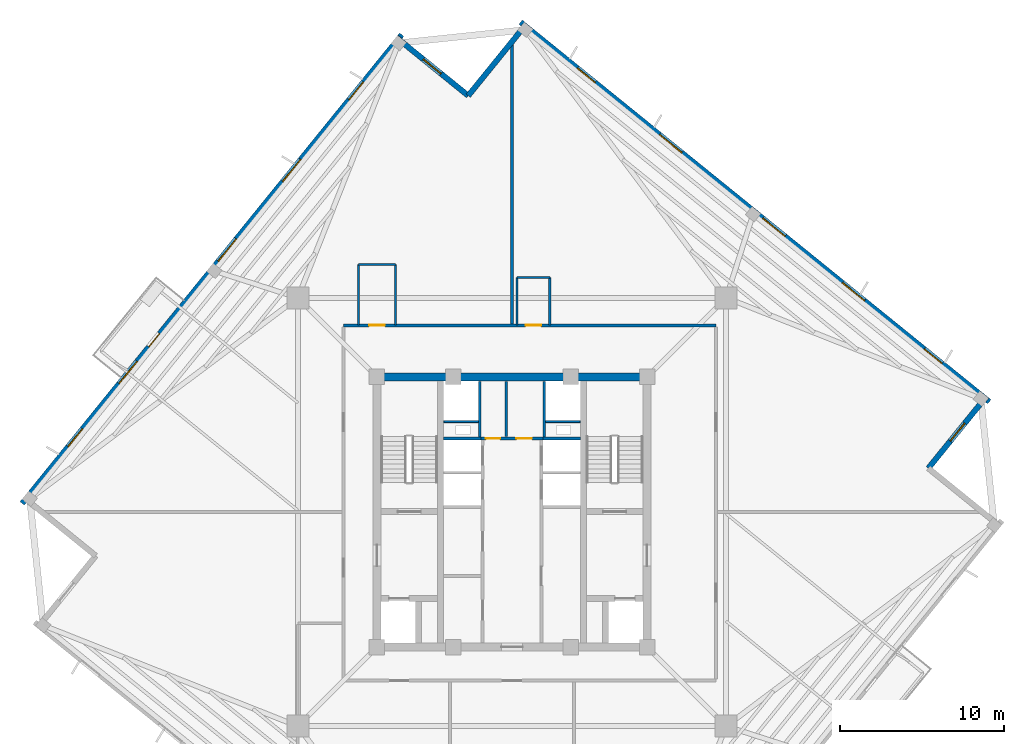
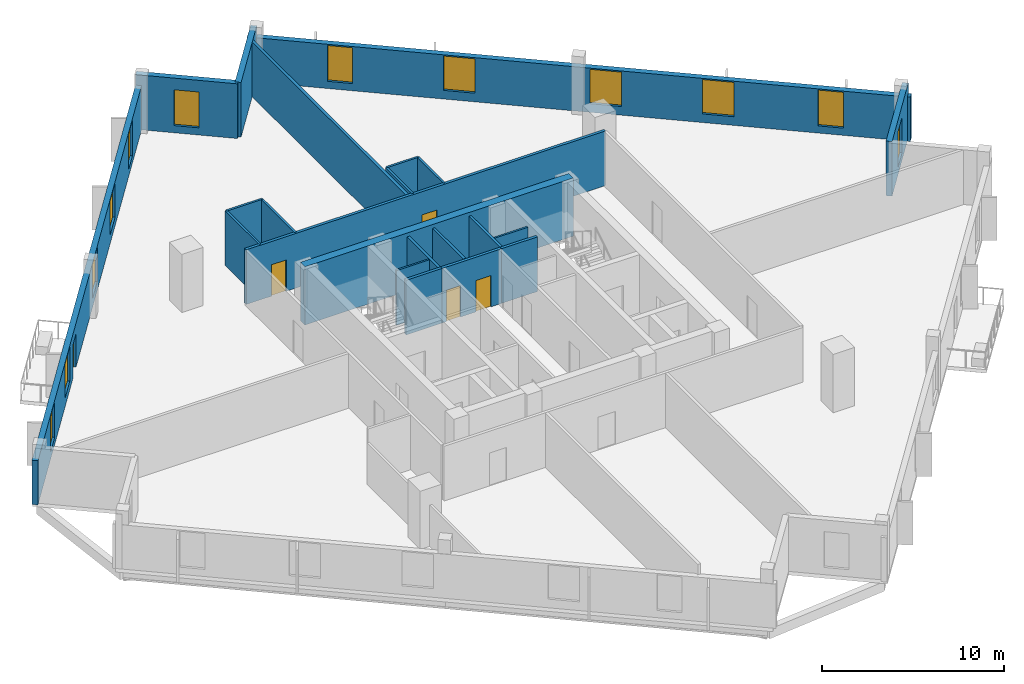
# One storey, part 4 of 9: 22 walls, 12 windows, 5 doors, 17 openings.
"""IFC4 building model written with IfcOpenShell, lengths in metres."""

from ifc_helpers import new_model, si_unit, direction, frame, frame_2d, origin, place, context, subcontext, project, spatial, rectangle, extrude, source, transform, mapped, material, layer, layer_set, type_object, element, fill, save


model = new_model("IFC4")

# Units and contexts
model_context = context("Model", 3, precision=1e-05, world=origin(), true_north=direction((0.0, 1.0)))
body_context = subcontext(model_context, "Body", "Model", "MODEL_VIEW")
ifc_project = project(units=[si_unit("LENGTHUNIT", "METRE"), si_unit("AREAUNIT", "SQUARE_METRE"), si_unit("VOLUMEUNIT", "CUBIC_METRE"), si_unit("PLANEANGLEUNIT", "RADIAN"), si_unit("MASSUNIT", "GRAM", prefix="KILO"), si_unit("THERMODYNAMICTEMPERATUREUNIT", "KELVIN")], contexts=[model_context])

# Site, building, storey
site_placement = place(None, origin())
site = spatial("IfcSite", under=ifc_project, at=site_placement, CompositionType="ELEMENT")
building_placement = place(site_placement, origin())
building = spatial("IfcBuilding", under=site, at=building_placement, Name="Kosmvard Interchange Tower", CompositionType="ELEMENT")
storey_placement = place(building_placement, frame((0.0, 0.0, 244.60009765625)))
storey = spatial("IfcBuildingStorey", under=building, at=storey_placement, Name="L59", CompositionType="ELEMENT", Elevation=244.60009765625)

# Walls
ifc_material_1 = material(Name="Fire-rated gypsum partition system")
ifc_layer_1 = layer(ifc_material_1, 0.159912109375, Name="Fire-rated gypsum partition system")
ifc_layer_set_1 = layer_set([ifc_layer_1], Name="Fire-rated gypsum partition system")
wall_type_1 = type_object("IfcWallType", Name="Core Compartment & Shuttle Lobby Partition 160", PredefinedType="PARTITIONING", material=ifc_layer_set_1)
for number, where, z_axis, x_axis, name in (
    (1, (-1.9599609375, 4.580078125, 0.0), (0.0, 0.0, 1.0), (0.0, 1.0, 0.0), "L59 North Core West Wall"),
    (2, (1.9599609375, 4.580078125, 0.0), (0.0, 0.0, 1.0), (0.0, 1.0, 0.0), "L59 North Core East Wall"),
):
    element("IfcWall", number, at=place(storey_placement, frame(where, z_axis=z_axis, x_axis=x_axis)), inside=storey, type_object=wall_type_1, Name=name, PredefinedType="PARTITIONING", context=body_context, shape_type="SweptSolid", body=[
        extrude(rectangle(XDim=3.39990234375, YDim=0.159912109375, at=frame_2d((1.699951171875, 0.0))), origin(), (0.0, 0.0, 1.0), 3.659912109375),
    ])
ifc_material_2 = material(Name="Concrete blockwork masonry", Category="masonry")
ifc_layer_2 = layer(ifc_material_2, 0.159912109375, Name="Concrete blockwork masonry")
ifc_layer_set_2 = layer_set([ifc_layer_2], Name="Concrete blockwork masonry")
wall_type_2 = type_object("IfcWallType", Name="Core Enclosure Split Wall 160", PredefinedType="PARTITIONING", material=ifc_layer_set_2)
wall_1_placement = place(storey_placement, frame((-0.35009765625, 4.60009765625, 0.0), z_axis=(0.0, 0.0, 1.0), x_axis=(0.0, 1.0, 0.0)))
element("IfcWall", 3, at=wall_1_placement, inside=storey, type_object=wall_type_2, Name="L59 Core K2 Split Wall", PredefinedType="PARTITIONING", context=body_context, shape_type="SweptSolid", body=[
    extrude(rectangle(XDim=3.3798828125, YDim=0.159912109375, at=frame_2d((1.68994140625, 0.0))), origin(), (0.0, 0.0, 1.0), 3.659912109375),
])

# Wall, openings, doors
ifc_layer_3 = layer(ifc_material_1, 0.179931640625, Name="Fire-rated gypsum partition system")
ifc_layer_set_3 = layer_set([ifc_layer_3], Name="Fire-rated gypsum partition system")
wall_type_3 = type_object("IfcWallType", Name="Corridor & Hotel Compartment Partition 180", PredefinedType="PARTITIONING", material=ifc_layer_set_3)
wall_2_placement = place(storey_placement, frame((-1.8798828125, 4.489990234375, 0.0), z_axis=(0.0, 0.0, 1.0), x_axis=(1.0, 0.0, 0.0)))
wall_2 = element("IfcWall", 4, at=wall_2_placement, inside=storey, type_object=wall_type_3, Name="L59 Lift Lobby North Partition", PredefinedType="PARTITIONING", context=body_context, shape_type="SweptSolid", body=[
    extrude(rectangle(XDim=3.759765625, YDim=0.179931640625, at=frame_2d((1.8798828125, 0.0))), origin(), (0.0, 0.0, 1.0), 3.659912109375),
])
opening_1_placement = place(wall_2_placement, frame((0.280029296875, 0.0, 0.0)))
opening_1 = element("IfcOpeningElement", 5, at=opening_1_placement, cuts=wall_2, Name="Opening L59-KD1", PredefinedType="OPENING", context=body_context, shape_type="SweptSolid", body=[
    extrude(rectangle(XDim=0.8798828125, YDim=2.10009765625, at=frame_2d((0.43994140625, 1.050048828125))), frame((0.0, 0.10009765625, 0.0), z_axis=(0.0, -1.0, 0.0), x_axis=(1.0, 0.0, 0.0)), (0.0, 0.0, 1.0), 0.199951171875),
])
opening_2_placement = place(wall_2_placement, frame((2.14990234375, 0.0, 0.0)))
opening_2 = element("IfcOpeningElement", 6, at=opening_2_placement, cuts=wall_2, Name="Opening L59-KD2", PredefinedType="OPENING", context=body_context, shape_type="SweptSolid", body=[
    extrude(rectangle(XDim=0.949951171875, YDim=2.10009765625, at=frame_2d((0.47509765625, 1.050048828125))), frame((0.0, 0.10009765625, 0.0), z_axis=(0.0, -1.0, 0.0), x_axis=(1.0, 0.0, 0.0)), (0.0, 0.0, 1.0), 0.199951171875),
])
ifc_material_3 = material(Name="Painted fire-rated timber leaf", Category="wood")
door_type_1 = type_object("IfcDoorType", Name="Core Service Fire Door 950x2100 EI30", OperationType="NOTDEFINED", PredefinedType="DOOR", material=ifc_material_3)
shared_shape_1 = source(origin(), body_context, "Body", "SweptSolid", [
    extrude(rectangle(XDim=0.949951171875, YDim=2.10009765625, at=frame_2d((0.47509765625, 1.050048828125))), frame((0.0, 0.02490234375, 0.0), z_axis=(0.0, -1.0, 0.0), x_axis=(1.0, 0.0, 0.0)), (0.0, 0.0, 1.0), 0.050048828125),
])
door_1_placement = place(opening_2_placement, origin())
door_1 = element("IfcDoor", 7, at=door_1_placement, inside=storey, type_object=door_type_1, Name="L59 Core Tea Pantry Door", OperationType="SINGLE_SWING_RIGHT", OverallHeight=2.10009765625, OverallWidth=0.949951171875, PredefinedType="DOOR", context=body_context, shape_type="MappedRepresentation", body=[
    mapped(shared_shape_1, transform((0.0, 0.0, 0.0), scale=1.0)),
])
fill(opening_2, door_1)
door_type_2 = type_object("IfcDoorType", Name="Core Cupboard Fire Door 880x2100 EI30", OperationType="NOTDEFINED", PredefinedType="DOOR", material=ifc_material_3)
shared_shape_2 = source(origin(), body_context, "Body", "SweptSolid", [
    extrude(rectangle(XDim=0.8798828125, YDim=2.10009765625, at=frame_2d((0.43994140625, 1.050048828125))), frame((0.0, 0.02490234375, 0.0), z_axis=(0.0, -1.0, 0.0), x_axis=(1.0, 0.0, 0.0)), (0.0, 0.0, 1.0), 0.050048828125),
])
door_2_placement = place(opening_1_placement, origin())
door_2 = element("IfcDoor", 8, at=door_2_placement, inside=storey, type_object=door_type_2, Name="L59 Core Cleaner Cupboard Door", OperationType="SINGLE_SWING_LEFT", OverallHeight=2.10009765625, OverallWidth=0.8798828125, PredefinedType="DOOR", context=body_context, shape_type="MappedRepresentation", body=[
    mapped(shared_shape_2, transform((0.0, 0.0, 0.0), scale=1.0)),
])
fill(opening_1, door_2)

wall_3_placement = place(storey_placement, frame((-10.300048828125, 11.39990234375, 0.0), z_axis=(0.0, 0.0, 1.0), x_axis=(1.0, 0.0, 0.0)))
wall_3 = element("IfcWall", 9, at=wall_3_placement, inside=storey, type_object=wall_type_3, Name="L59 Corridor Wall CN", PredefinedType="PARTITIONING", context=body_context, shape_type="SweptSolid", body=[
    extrude(rectangle(XDim=22.75, YDim=0.179931640625, at=frame_2d((11.375, 0.0))), origin(), (0.0, 0.0, 1.0), 3.659912109375),
])
opening_3_placement = place(wall_3_placement, frame((11.135986328125, 0.0, 0.0)))
opening_3 = element("IfcOpeningElement", 10, at=opening_3_placement, cuts=wall_3, Name="Opening L59-D01", PredefinedType="OPENING", context=body_context, shape_type="SweptSolid", body=[
    extrude(rectangle(XDim=0.949951171875, YDim=2.10009765625, at=frame_2d((0.47509765625, 1.050048828125))), frame((0.0, 0.10009765625, 0.0), z_axis=(0.0, -1.0, 0.0), x_axis=(1.0, 0.0, 0.0)), (0.0, 0.0, 1.0), 0.199951171875),
])
opening_4_placement = place(wall_3_placement, frame((1.580078125, 0.0, 0.0)))
opening_4 = element("IfcOpeningElement", 11, at=opening_4_placement, cuts=wall_3, Name="Opening L59-D02", PredefinedType="OPENING", context=body_context, shape_type="SweptSolid", body=[
    extrude(rectangle(XDim=0.949951171875, YDim=2.10009765625, at=frame_2d((0.47509765625, 1.050048828125))), frame((0.0, 0.10009765625, 0.0), z_axis=(0.0, -1.0, 0.0), x_axis=(1.0, 0.0, 0.0)), (0.0, 0.0, 1.0), 0.199951171875),
])
ifc_material_4 = material(Name="Laminated moisture-resistant timber", Category="wood")
door_type_3 = type_object("IfcDoorType", Name="Accessible Washroom Door 950x2100", OperationType="NOTDEFINED", PredefinedType="DOOR", material=ifc_material_4)
door_3_placement = place(opening_3_placement, origin())
door_3 = element("IfcDoor", 12, at=door_3_placement, inside=storey, type_object=door_type_3, Name="L59 Accessible Toilet Door", OperationType="SINGLE_SWING_LEFT", OverallHeight=2.10009765625, OverallWidth=0.949951171875, PredefinedType="DOOR", context=body_context, shape_type="MappedRepresentation", body=[
    mapped(shared_shape_1, transform((0.0, 0.0, 0.0), scale=1.0)),
])
fill(opening_3, door_3)
door_4_placement = place(opening_4_placement, origin())
door_4 = element("IfcDoor", 13, at=door_4_placement, inside=storey, type_object=door_type_3, Name="L59 Public Floor Washroom Door", OperationType="SINGLE_SWING_RIGHT", OverallHeight=2.10009765625, OverallWidth=0.949951171875, PredefinedType="DOOR", context=body_context, shape_type="MappedRepresentation", body=[
    mapped(shared_shape_1, transform((0.0, 0.0, 0.0), scale=1.0)),
])
fill(opening_4, door_4)

# Wall
wall_4_placement = place(storey_placement, frame((0.0, 11.4951171875, 0.0), z_axis=(0.0, 0.0, 1.0), x_axis=(0.0, 1.0, 0.0)))
element("IfcWall", 14, at=wall_4_placement, inside=storey, type_object=wall_type_3, Name="L59 Room Partition 01.1", PredefinedType="PARTITIONING", context=body_context, shape_type="SweptSolid", body=[
    extrude(rectangle(XDim=17.0673828125, YDim=0.179931640625, at=frame_2d((8.53369140625, 0.0))), origin(), (0.0, 0.0, 1.0), 3.659912109375),
])

# Wall, opening, window
ifc_material_5 = material(Name="Precast concrete C45/55", Category="concrete")
ifc_layer_4 = layer(ifc_material_5, 0.340087890625, Name="Precast concrete C45/55")
ifc_layer_set_4 = layer_set([ifc_layer_4], Name="Precast concrete C45/55")
wall_type_4 = type_object("IfcWallType", Name="Mid Tower Precast Pier Wall 340 C45/55", PredefinedType="STANDARD", material=ifc_layer_set_4)
wall_5_placement = place(storey_placement, frame((25.428955078125, 2.672607421875, 0.0), z_axis=(0.0, 0.0, 1.0), x_axis=(0.629299794138, 0.777162640055, 0.0)))
wall_5 = element("IfcWall", 15, at=wall_5_placement, inside=storey, type_object=wall_type_4, Name="L59 Precast Facade Wall N-SE2", PredefinedType="STANDARD", context=body_context, shape_type="SweptSolid", body=[
    extrude(rectangle(XDim=5.669921875, YDim=0.340087890625, at=frame_2d((2.8349609375, 0.0))), origin(), (0.0, 0.0, 1.0), 3.659912109375),
])
opening_5_placement = place(wall_5_placement, frame((2.135009765625, 0.0, 0.47998046875)))
opening_5 = element("IfcOpeningElement", 16, at=opening_5_placement, cuts=wall_5, Name="Opening L59-W21", PredefinedType="OPENING", context=body_context, shape_type="SweptSolid", body=[
    extrude(rectangle(XDim=1.39990234375, YDim=2.39990234375, at=frame_2d((0.699951171875, 1.199951171875))), frame((0.0, 0.18017578125, 0.0), z_axis=(0.0, -1.0, 0.0), x_axis=(1.0, 0.0, 0.0)), (0.0, 0.0, 1.0), 0.360107421875),
])
ifc_material_6 = material(Name="Low-E solar-control double glazing", Category="glass")
window_type_1 = type_object("IfcWindowType", Name="Notched Corner Feature Window 1400x2400", PartitioningType="SINGLE_PANEL", PredefinedType="WINDOW", material=ifc_material_6)
shared_shape_3 = source(origin(), body_context, "Body", "SweptSolid", [
    extrude(rectangle(XDim=1.39990234375, YDim=2.39990234375, at=frame_2d((0.699951171875, 1.199951171875))), frame((0.0, 0.030029296875, 0.0), z_axis=(0.0, -1.0, 0.0), x_axis=(1.0, 0.0, 0.0)), (0.0, 0.0, 1.0), 0.06005859375),
])
window_1_placement = place(opening_5_placement, origin())
window_1 = element("IfcWindow", 17, at=window_1_placement, inside=storey, type_object=window_type_1, Name="L59 Corner Notch Window 21", OverallHeight=2.39990234375, OverallWidth=1.39990234375, PartitioningType="SINGLE_PANEL", PredefinedType="WINDOW", context=body_context, shape_type="MappedRepresentation", body=[
    mapped(shared_shape_3, transform((0.0, 0.0, 0.0), scale=1.0)),
])
fill(opening_5, window_1)

# Wall, openings, windows
wall_6_placement = place(storey_placement, frame((29.154296875, 6.73291015625, 0.0), z_axis=(0.0, 0.0, 1.0), x_axis=(-0.77714192302, 0.629325378072, 0.0)))
wall_6 = element("IfcWall", 18, at=wall_6_placement, inside=storey, type_object=wall_type_4, Name="L59 Precast Facade Wall F-E", PredefinedType="STANDARD", context=body_context, shape_type="SweptSolid", body=[
    extrude(rectangle(XDim=36.840087890625, YDim=0.340087890625, at=frame_2d((18.419921875, 0.0))), origin(), (0.0, 0.0, 1.0), 2.9599609375),
])
opening_6_placement = place(wall_6_placement, frame((3.720703125, 0.0, 0.47998046875)))
opening_6 = element("IfcOpeningElement", 19, at=opening_6_placement, cuts=wall_6, Name="Opening L59-W06", PredefinedType="OPENING", context=body_context, shape_type="SweptSolid", body=[
    extrude(rectangle(XDim=1.39990234375, YDim=2.39990234375, at=frame_2d((0.699951171875, 1.199951171875))), frame((0.0, 0.18017578125, 0.0), z_axis=(0.0, -1.0, 0.0), x_axis=(1.0, 0.0, 0.0)), (0.0, 0.0, 1.0), 0.360107421875),
])
opening_7_placement = place(wall_6_placement, frame((9.80859375, 0.0, 0.580078125)))
opening_7 = element("IfcOpeningElement", 20, at=opening_7_placement, cuts=wall_6, Name="Opening L59-W07", PredefinedType="OPENING", context=body_context, shape_type="SweptSolid", body=[
    extrude(rectangle(XDim=1.75, YDim=2.300048828125, at=frame_2d((0.875, 1.14990234375))), frame((0.0, 0.18017578125, 0.0), z_axis=(0.0, -1.0, 0.0), x_axis=(1.0, 0.0, 0.0)), (0.0, 0.0, 1.0), 0.360107421875),
])
opening_8_placement = place(wall_6_placement, frame((16.05810546875, 0.0, 0.580078125)))
opening_8 = element("IfcOpeningElement", 21, at=opening_8_placement, cuts=wall_6, Name="Opening L59-W08", PredefinedType="OPENING", context=body_context, shape_type="SweptSolid", body=[
    extrude(rectangle(XDim=1.75, YDim=2.300048828125, at=frame_2d((0.875, 1.14990234375))), frame((0.0, 0.18017578125, 0.0), z_axis=(0.0, -1.0, 0.0), x_axis=(1.0, 0.0, 0.0)), (0.0, 0.0, 1.0), 0.360107421875),
])
opening_9_placement = place(wall_6_placement, frame((24.17626953125, 0.0, 0.580078125)))
opening_9 = element("IfcOpeningElement", 22, at=opening_9_placement, cuts=wall_6, Name="Opening L59-W09", PredefinedType="OPENING", context=body_context, shape_type="SweptSolid", body=[
    extrude(rectangle(XDim=1.75, YDim=2.300048828125, at=frame_2d((0.875, 1.14990234375))), frame((0.0, 0.18017578125, 0.0), z_axis=(0.0, -1.0, 0.0), x_axis=(1.0, 0.0, 0.0)), (0.0, 0.0, 1.0), 0.360107421875),
])
opening_10_placement = place(wall_6_placement, frame((30.982421875, 0.0, 0.47998046875)))
opening_10 = element("IfcOpeningElement", 23, at=opening_10_placement, cuts=wall_6, Name="Opening L59-W10", PredefinedType="OPENING", context=body_context, shape_type="SweptSolid", body=[
    extrude(rectangle(XDim=1.39990234375, YDim=2.39990234375, at=frame_2d((0.699951171875, 1.199951171875))), frame((0.0, 0.18017578125, 0.0), z_axis=(0.0, -1.0, 0.0), x_axis=(1.0, 0.0, 0.0)), (0.0, 0.0, 1.0), 0.360107421875),
])
window_2_placement = place(opening_6_placement, origin())
window_2 = element("IfcWindow", 24, at=window_2_placement, inside=storey, type_object=window_type_1, Name="L59 Facade Punched Window 06", OverallHeight=2.39990234375, OverallWidth=1.39990234375, PartitioningType="SINGLE_PANEL", PredefinedType="WINDOW", context=body_context, shape_type="MappedRepresentation", body=[
    mapped(shared_shape_3, transform((0.0, 0.0, 0.0), scale=1.0)),
])
fill(opening_6, window_2)
window_3_placement = place(opening_10_placement, origin())
window_3 = element("IfcWindow", 25, at=window_3_placement, inside=storey, type_object=window_type_1, Name="L59 Facade Punched Window 10", OverallHeight=2.39990234375, OverallWidth=1.39990234375, PartitioningType="SINGLE_PANEL", PredefinedType="WINDOW", context=body_context, shape_type="MappedRepresentation", body=[
    mapped(shared_shape_3, transform((0.0, 0.0, 0.0), scale=1.0)),
])
fill(opening_10, window_3)
window_type_2 = type_object("IfcWindowType", Name="Zone 4 Suite Punched Window 1750x2300", PartitioningType="SINGLE_PANEL", PredefinedType="WINDOW", material=ifc_material_6)
shared_shape_4 = source(origin(), body_context, "Body", "SweptSolid", [
    extrude(rectangle(XDim=1.75, YDim=2.300048828125, at=frame_2d((0.875, 1.14990234375))), frame((0.0, 0.030029296875, 0.0), z_axis=(0.0, -1.0, 0.0), x_axis=(1.0, 0.0, 0.0)), (0.0, 0.0, 1.0), 0.06005859375),
])
window_4_placement = place(opening_7_placement, origin())
window_4 = element("IfcWindow", 26, at=window_4_placement, inside=storey, type_object=window_type_2, Name="L59 Facade Punched Window 07", OverallHeight=2.300048828125, OverallWidth=1.75, PartitioningType="SINGLE_PANEL", PredefinedType="WINDOW", context=body_context, shape_type="MappedRepresentation", body=[
    mapped(shared_shape_4, transform((0.0, 0.0, 0.0), scale=1.0)),
])
fill(opening_7, window_4)
window_5_placement = place(opening_8_placement, origin())
window_5 = element("IfcWindow", 27, at=window_5_placement, inside=storey, type_object=window_type_2, Name="L59 Facade Punched Window 08", OverallHeight=2.300048828125, OverallWidth=1.75, PartitioningType="SINGLE_PANEL", PredefinedType="WINDOW", context=body_context, shape_type="MappedRepresentation", body=[
    mapped(shared_shape_4, transform((0.0, 0.0, 0.0), scale=1.0)),
])
fill(opening_8, window_5)
window_6_placement = place(opening_9_placement, origin())
window_6 = element("IfcWindow", 28, at=window_6_placement, inside=storey, type_object=window_type_2, Name="L59 Facade Punched Window 09", OverallHeight=2.300048828125, OverallWidth=1.75, PartitioningType="SINGLE_PANEL", PredefinedType="WINDOW", context=body_context, shape_type="MappedRepresentation", body=[
    mapped(shared_shape_4, transform((0.0, 0.0, 0.0), scale=1.0)),
])
fill(opening_9, window_6)

# Wall
wall_7_placement = place(storey_placement, frame((0.78857421875, 29.703125, 0.0), z_axis=(0.0, 0.0, 1.0), x_axis=(-0.629323365087, -0.77714355312, 0.0)))
element("IfcWall", 29, at=wall_7_placement, inside=storey, type_object=wall_type_4, Name="L59 Precast Facade Wall N-NE1", PredefinedType="STANDARD", context=body_context, shape_type="SweptSolid", body=[
    extrude(rectangle(XDim=5.499755859375, YDim=0.340087890625, at=frame_2d((2.75, 0.0))), origin(), (0.0, 0.0, 1.0), 3.659912109375),
])

# Wall, opening, window
wall_8_placement = place(storey_placement, frame((-2.672607421875, 25.428955078125, 0.0), z_axis=(0.0, 0.0, 1.0), x_axis=(-0.777162640055, 0.629299794138, 0.0)))
wall_8 = element("IfcWall", 30, at=wall_8_placement, inside=storey, type_object=wall_type_4, Name="L59 Precast Facade Wall N-NE2", PredefinedType="STANDARD", context=body_context, shape_type="SweptSolid", body=[
    extrude(rectangle(XDim=5.669921875, YDim=0.340087890625, at=frame_2d((2.8349609375, 0.0))), origin(), (0.0, 0.0, 1.0), 3.659912109375),
])
opening_11_placement = place(wall_8_placement, frame((2.135009765625, 0.0, 0.47998046875)))
opening_11 = element("IfcOpeningElement", 31, at=opening_11_placement, cuts=wall_8, Name="Opening L59-W22", PredefinedType="OPENING", context=body_context, shape_type="SweptSolid", body=[
    extrude(rectangle(XDim=1.39990234375, YDim=2.39990234375, at=frame_2d((0.699951171875, 1.199951171875))), frame((0.0, 0.18017578125, 0.0), z_axis=(0.0, -1.0, 0.0), x_axis=(1.0, 0.0, 0.0)), (0.0, 0.0, 1.0), 0.360107421875),
])
window_7_placement = place(opening_11_placement, origin())
window_7 = element("IfcWindow", 32, at=window_7_placement, inside=storey, type_object=window_type_1, Name="L59 Corner Notch Window 22", OverallHeight=2.39990234375, OverallWidth=1.39990234375, PartitioningType="SINGLE_PANEL", PredefinedType="WINDOW", context=body_context, shape_type="MappedRepresentation", body=[
    mapped(shared_shape_3, transform((0.0, 0.0, 0.0), scale=1.0)),
])
fill(opening_11, window_7)

# Wall, openings, door, windows
wall_9_placement = place(storey_placement, frame((-6.73291015625, 29.154296875, 0.0), z_axis=(0.0, 0.0, 1.0), x_axis=(-0.629325378072, -0.77714192302, 0.0)))
wall_9 = element("IfcWall", 33, at=wall_9_placement, inside=storey, type_object=wall_type_4, Name="L59 Precast Facade Wall F-N", PredefinedType="STANDARD", context=body_context, shape_type="SweptSolid", body=[
    extrude(rectangle(XDim=36.840087890625, YDim=0.340087890625, at=frame_2d((18.419921875, 0.0))), origin(), (0.0, 0.0, 1.0), 2.9599609375),
])
opening_12_placement = place(wall_9_placement, frame((23.4951171875, 0.0, 0.0)))
opening_12 = element("IfcOpeningElement", 34, at=opening_12_placement, cuts=wall_9, Name="Opening L59-BDE", PredefinedType="OPENING", context=body_context, shape_type="SweptSolid", body=[
    extrude(rectangle(XDim=1.050048828125, YDim=2.25, at=frame_2d((0.52490234375, 1.125))), frame((0.0, 0.18017578125, 0.0), z_axis=(0.0, -1.0, 0.0), x_axis=(1.0, 0.0, 0.0)), (0.0, 0.0, 1.0), 0.360107421875),
])
opening_13_placement = place(wall_9_placement, frame((3.720703125, 0.0, 0.47998046875)))
opening_13 = element("IfcOpeningElement", 35, at=opening_13_placement, cuts=wall_9, Name="Opening L59-W11", PredefinedType="OPENING", context=body_context, shape_type="SweptSolid", body=[
    extrude(rectangle(XDim=1.39990234375, YDim=2.39990234375, at=frame_2d((0.699951171875, 1.199951171875))), frame((0.0, 0.18017578125, 0.0), z_axis=(0.0, -1.0, 0.0), x_axis=(1.0, 0.0, 0.0)), (0.0, 0.0, 1.0), 0.360107421875),
])
opening_14_placement = place(wall_9_placement, frame((9.80859375, 0.0, 0.580078125)))
opening_14 = element("IfcOpeningElement", 36, at=opening_14_placement, cuts=wall_9, Name="Opening L59-W12", PredefinedType="OPENING", context=body_context, shape_type="SweptSolid", body=[
    extrude(rectangle(XDim=1.75, YDim=2.300048828125, at=frame_2d((0.875, 1.14990234375))), frame((0.0, 0.18017578125, 0.0), z_axis=(0.0, -1.0, 0.0), x_axis=(1.0, 0.0, 0.0)), (0.0, 0.0, 1.0), 0.360107421875),
])
opening_15_placement = place(wall_9_placement, frame((16.05810546875, 0.0, 0.580078125)))
opening_15 = element("IfcOpeningElement", 37, at=opening_15_placement, cuts=wall_9, Name="Opening L59-W13", PredefinedType="OPENING", context=body_context, shape_type="SweptSolid", body=[
    extrude(rectangle(XDim=1.75, YDim=2.300048828125, at=frame_2d((0.875, 1.14990234375))), frame((0.0, 0.18017578125, 0.0), z_axis=(0.0, -1.0, 0.0), x_axis=(1.0, 0.0, 0.0)), (0.0, 0.0, 1.0), 0.360107421875),
])
opening_16_placement = place(wall_9_placement, frame((25.67626953125, 0.0, 0.580078125)))
opening_16 = element("IfcOpeningElement", 38, at=opening_16_placement, cuts=wall_9, Name="Opening L59-W14", PredefinedType="OPENING", context=body_context, shape_type="SweptSolid", body=[
    extrude(rectangle(XDim=1.75, YDim=2.300048828125, at=frame_2d((0.875, 1.14990234375))), frame((0.0, 0.18017578125, 0.0), z_axis=(0.0, -1.0, 0.0), x_axis=(1.0, 0.0, 0.0)), (0.0, 0.0, 1.0), 0.360107421875),
])
opening_17_placement = place(wall_9_placement, frame((30.982421875, 0.0, 0.47998046875)))
opening_17 = element("IfcOpeningElement", 39, at=opening_17_placement, cuts=wall_9, Name="Opening L59-W15", PredefinedType="OPENING", context=body_context, shape_type="SweptSolid", body=[
    extrude(rectangle(XDim=1.39990234375, YDim=2.39990234375, at=frame_2d((0.699951171875, 1.199951171875))), frame((0.0, 0.18017578125, 0.0), z_axis=(0.0, -1.0, 0.0), x_axis=(1.0, 0.0, 0.0)), (0.0, 0.0, 1.0), 0.360107421875),
])
ifc_material_7 = material(Name="Anodised aluminium and safety glass", Category="aluminium")
door_type_4 = type_object("IfcDoorType", Name="Tree-Balcony Glazed Door 1050x2250", OperationType="NOTDEFINED", PredefinedType="DOOR", material=ifc_material_7)
shared_shape_5 = source(origin(), body_context, "Body", "SweptSolid", [
    extrude(rectangle(XDim=1.050048828125, YDim=2.25, at=frame_2d((0.52490234375, 1.125))), frame((0.0, 0.02490234375, 0.0), z_axis=(0.0, -1.0, 0.0), x_axis=(1.0, 0.0, 0.0)), (0.0, 0.0, 1.0), 0.050048828125),
])
door_5_placement = place(opening_12_placement, origin())
door_5 = element("IfcDoor", 40, at=door_5_placement, inside=storey, type_object=door_type_4, Name="L59 Tree-Balcony Door BAL-L59-NE", OperationType="SINGLE_SWING_RIGHT", OverallHeight=2.25, OverallWidth=1.050048828125, PredefinedType="DOOR", context=body_context, shape_type="MappedRepresentation", body=[
    mapped(shared_shape_5, transform((0.0, 0.0, 0.0), scale=1.0)),
])
fill(opening_12, door_5)
window_8_placement = place(opening_13_placement, origin())
window_8 = element("IfcWindow", 41, at=window_8_placement, inside=storey, type_object=window_type_1, Name="L59 Facade Punched Window 11", OverallHeight=2.39990234375, OverallWidth=1.39990234375, PartitioningType="SINGLE_PANEL", PredefinedType="WINDOW", context=body_context, shape_type="MappedRepresentation", body=[
    mapped(shared_shape_3, transform((0.0, 0.0, 0.0), scale=1.0)),
])
fill(opening_13, window_8)
window_9_placement = place(opening_17_placement, origin())
window_9 = element("IfcWindow", 42, at=window_9_placement, inside=storey, type_object=window_type_1, Name="L59 Facade Punched Window 15", OverallHeight=2.39990234375, OverallWidth=1.39990234375, PartitioningType="SINGLE_PANEL", PredefinedType="WINDOW", context=body_context, shape_type="MappedRepresentation", body=[
    mapped(shared_shape_3, transform((0.0, 0.0, 0.0), scale=1.0)),
])
fill(opening_17, window_9)
window_10_placement = place(opening_14_placement, origin())
window_10 = element("IfcWindow", 43, at=window_10_placement, inside=storey, type_object=window_type_2, Name="L59 Facade Punched Window 12", OverallHeight=2.300048828125, OverallWidth=1.75, PartitioningType="SINGLE_PANEL", PredefinedType="WINDOW", context=body_context, shape_type="MappedRepresentation", body=[
    mapped(shared_shape_4, transform((0.0, 0.0, 0.0), scale=1.0)),
])
fill(opening_14, window_10)
window_11_placement = place(opening_15_placement, origin())
window_11 = element("IfcWindow", 44, at=window_11_placement, inside=storey, type_object=window_type_2, Name="L59 Facade Punched Window 13", OverallHeight=2.300048828125, OverallWidth=1.75, PartitioningType="SINGLE_PANEL", PredefinedType="WINDOW", context=body_context, shape_type="MappedRepresentation", body=[
    mapped(shared_shape_4, transform((0.0, 0.0, 0.0), scale=1.0)),
])
fill(opening_15, window_11)
window_12_placement = place(opening_16_placement, origin())
window_12 = element("IfcWindow", 45, at=window_12_placement, inside=storey, type_object=window_type_2, Name="L59 Facade Punched Window 14", OverallHeight=2.300048828125, OverallWidth=1.75, PartitioningType="SINGLE_PANEL", PredefinedType="WINDOW", context=body_context, shape_type="MappedRepresentation", body=[
    mapped(shared_shape_4, transform((0.0, 0.0, 0.0), scale=1.0)),
])
fill(opening_16, window_12)

# Walls
ifc_layer_5 = layer(ifc_material_2, 0.179931640625, Name="Concrete blockwork masonry")
ifc_layer_set_5 = layer_set([ifc_layer_5], Name="Concrete blockwork masonry")
wall_type_5 = type_object("IfcWallType", Name="Riser & Lift Bank Divider Wall 180", PredefinedType="PARTITIONING", material=ifc_layer_set_5)
for number, where, z_axis, x_axis, name in (
    (46, (-4.169921875, 4.489990234375, 0.0), (0.0, 0.0, 1.0), (1.0, 0.0, 0.0), "L59 West Bank Divider BD3"),
    (47, (1.889892578125, 4.489990234375, 0.0), (0.0, 0.0, 1.0), (1.0, 0.0, 0.0), "L59 East Bank Divider BD3"),
):
    element("IfcWall", number, at=place(storey_placement, frame(where, z_axis=z_axis, x_axis=x_axis)), inside=storey, type_object=wall_type_5, Name=name, PredefinedType="PARTITIONING", context=body_context, shape_type="SweptSolid", body=[
        extrude(rectangle(XDim=2.280029296875, YDim=0.179931640625, at=frame_2d((1.14013671875, 0.0))), origin(), (0.0, 0.0, 1.0), 3.659912109375),
    ])
ifc_material_8 = material(Name="Fire-rated gypsum shaftwall system")
ifc_layer_6 = layer(ifc_material_8, 0.1201171875, Name="Fire-rated gypsum shaftwall system")
ifc_layer_set_6 = layer_set([ifc_layer_6], Name="Fire-rated gypsum shaftwall system")
wall_type_6 = type_object("IfcWallType", Name="Shaft & Riser Fire Partition 120 EI60", PredefinedType="PARTITIONING", material=ifc_layer_set_6)
for number, where, z_axis, x_axis, name in (
    (48, (-4.159912109375, 5.52001953125, 0.0), (0.0, 0.0, 1.0), (1.0, 0.0, 0.0), "L59 Riser Shaft Divider W"),
    (49, (2.06005859375, 5.52001953125, 0.0), (0.0, 0.0, 1.0), (1.0, 0.0, 0.0), "L59 Riser Shaft Divider E"),
):
    element("IfcWall", number, at=place(storey_placement, frame(where, z_axis=z_axis, x_axis=x_axis)), inside=storey, type_object=wall_type_6, Name=name, PredefinedType="PARTITIONING", context=body_context, shape_type="SweptSolid", body=[
        extrude(rectangle(XDim=2.099853515625, YDim=0.1201171875, at=frame_2d((1.0498046875, 0.0))), origin(), (0.0, 0.0, 1.0), 3.659912109375),
    ])
ifc_material_9 = material(Name="Concrete C60/75", Category="concrete")
ifc_layer_7 = layer(ifc_material_9, 0.5, Name="Concrete C60/75")
ifc_layer_set_7 = layer_set([ifc_layer_7], Name="Concrete C60/75")
wall_type_7 = type_object("IfcWallType", Name="Upper Core Shear Wall 500 C60/75", PredefinedType="SHEAR", material=ifc_layer_set_7)
wall_10_placement = place(storey_placement, frame((-8.5, 8.25, 0.0), z_axis=(0.0, 0.0, 1.0), x_axis=(1.0, 0.0, 0.0)))
element("IfcWall", 50, at=wall_10_placement, inside=storey, type_object=wall_type_7, Name="L59 Core Shear Wall CW-N", PredefinedType="SHEAR", context=body_context, shape_type="SweptSolid", body=[
    extrude(rectangle(XDim=17.0, YDim=0.5, at=frame_2d((8.5, 0.0))), origin(), (0.0, 0.0, 1.0), 3.89990234375),
])
ifc_material_10 = material(Name="Moisture-resistant gypsum partition")
ifc_layer_8 = layer(ifc_material_10, 0.135009765625, Name="Moisture-resistant gypsum partition")
ifc_layer_set_8 = layer_set([ifc_layer_8], Name="Moisture-resistant gypsum partition")
wall_type_8 = type_object("IfcWallType", Name="Wet Room Moisture-Resistant Partition 135", PredefinedType="PARTITIONING", material=ifc_layer_set_8)
wall_11_placement = place(storey_placement, frame((2.31103515625, 11.419921875, 0.0), z_axis=(0.0, 0.0, 1.0), x_axis=(0.0, 1.0, 0.0)))
element("IfcWall", 51, at=wall_11_placement, inside=storey, type_object=wall_type_8, Name="L59 Washroom Partition AWC1-E", PredefinedType="PARTITIONING", context=body_context, shape_type="SweptSolid", body=[
    extrude(rectangle(XDim=2.900146484375, YDim=0.135009765625, at=frame_2d((1.4501953125, 0.0))), origin(), (0.0, 0.0, 1.0), 3.659912109375),
])
wall_12_placement = place(storey_placement, frame((0.31103515625, 14.320068359375, 0.0), z_axis=(0.0, 0.0, 1.0), x_axis=(1.0, 0.0, 0.0)))
element("IfcWall", 52, at=wall_12_placement, inside=storey, type_object=wall_type_8, Name="L59 Washroom Partition AWC1-N", PredefinedType="PARTITIONING", context=body_context, shape_type="SweptSolid", body=[
    extrude(rectangle(XDim=2.0, YDim=0.135009765625, at=frame_2d((1.0, 0.0))), origin(), (0.0, 0.0, 1.0), 3.659912109375),
])
wall_13_placement = place(storey_placement, frame((0.31103515625, 11.419921875, 0.0), z_axis=(0.0, 0.0, 1.0), x_axis=(0.0, 1.0, 0.0)))
element("IfcWall", 53, at=wall_13_placement, inside=storey, type_object=wall_type_8, Name="L59 Washroom Partition AWC1-W", PredefinedType="PARTITIONING", context=body_context, shape_type="SweptSolid", body=[
    extrude(rectangle(XDim=2.900146484375, YDim=0.135009765625, at=frame_2d((1.4501953125, 0.0))), origin(), (0.0, 0.0, 1.0), 3.659912109375),
])
wall_14_placement = place(storey_placement, frame((-7.1201171875, 11.419921875, 0.0), z_axis=(0.0, 0.0, 1.0), x_axis=(0.0, 1.0, 0.0)))
element("IfcWall", 54, at=wall_14_placement, inside=storey, type_object=wall_type_8, Name="L59 Washroom Partition WC1-E", PredefinedType="PARTITIONING", context=body_context, shape_type="SweptSolid", body=[
    extrude(rectangle(XDim=3.7001953125, YDim=0.135009765625, at=frame_2d((1.85009765625, 0.0))), origin(), (0.0, 0.0, 1.0), 3.659912109375),
])
wall_15_placement = place(storey_placement, frame((-9.3701171875, 15.1201171875, 0.0), z_axis=(0.0, 0.0, 1.0), x_axis=(1.0, 0.0, 0.0)))
element("IfcWall", 55, at=wall_15_placement, inside=storey, type_object=wall_type_8, Name="L59 Washroom Partition WC1-N", PredefinedType="PARTITIONING", context=body_context, shape_type="SweptSolid", body=[
    extrude(rectangle(XDim=2.25, YDim=0.135009765625, at=frame_2d((1.125, 0.0))), origin(), (0.0, 0.0, 1.0), 3.659912109375),
])
wall_16_placement = place(storey_placement, frame((-9.3701171875, 11.419921875, 0.0), z_axis=(0.0, 0.0, 1.0), x_axis=(0.0, 1.0, 0.0)))
element("IfcWall", 56, at=wall_16_placement, inside=storey, type_object=wall_type_8, Name="L59 Washroom Partition WC1-W", PredefinedType="PARTITIONING", context=body_context, shape_type="SweptSolid", body=[
    extrude(rectangle(XDim=3.7001953125, YDim=0.135009765625, at=frame_2d((1.85009765625, 0.0))), origin(), (0.0, 0.0, 1.0), 3.659912109375),
])

save(model, "model.ifc")
